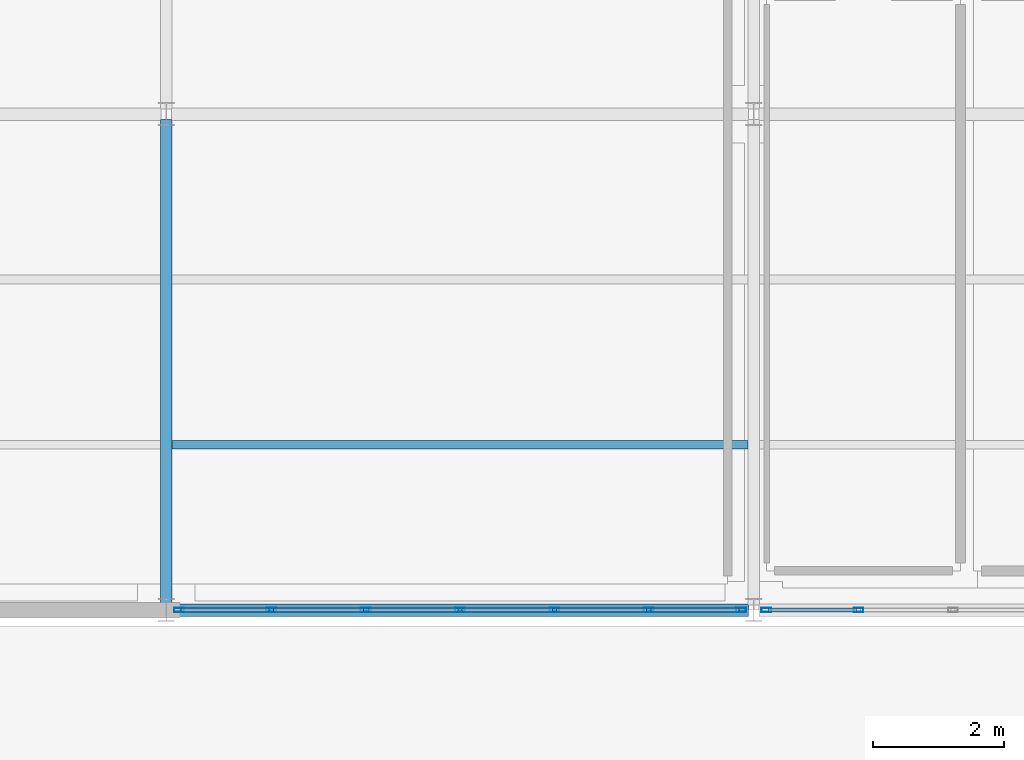
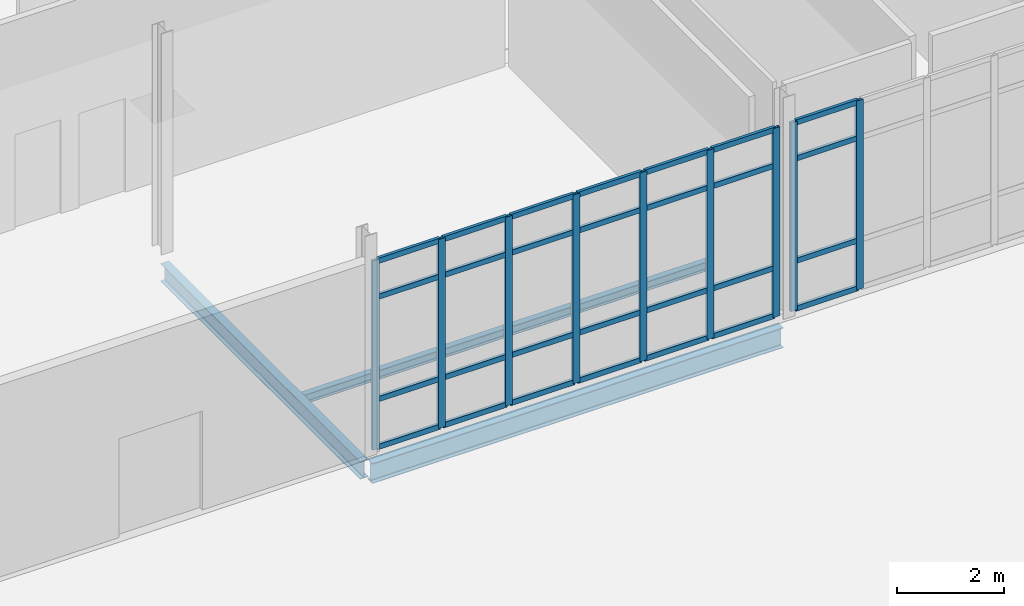
# One storey, part 66 of 161: 37 members, 3 beams, 2 elements without a shape of their own.
"""IFC4 building model written with IfcOpenShell, lengths in metres."""

from ifc_helpers import new_model, si_unit, direction, frame, origin, origin_2d, place, context, subcontext, project, spatial, hollow_rectangle, i_section, extrude, material, material_profile, profile_set, type_object, element, aggregate, save


model = new_model("IFC4")

# Units and contexts
model_context = context("Model", 3, precision=1e-05, world=origin(), true_north=direction((0.0, 1.0)))
body_context = subcontext(model_context, "Body", "Model", "MODEL_VIEW")
ifc_project = project(units=[si_unit("LENGTHUNIT", "METRE"), si_unit("AREAUNIT", "SQUARE_METRE"), si_unit("VOLUMEUNIT", "CUBIC_METRE"), si_unit("PLANEANGLEUNIT", "RADIAN"), si_unit("MASSUNIT", "GRAM", prefix="KILO")], contexts=[model_context])

# Site, building, storey
site_placement = place(None, origin())
site = spatial("IfcSite", under=ifc_project, at=site_placement, CompositionType="ELEMENT")
building_placement = place(site_placement, origin())
building = spatial("IfcBuilding", under=site, at=building_placement, Name="Caisbarro Railhouse Central Library", CompositionType="ELEMENT")
storey_placement = place(building_placement, origin())
storey = spatial("IfcBuildingStorey", under=building, at=storey_placement, Name="L00", CompositionType="ELEMENT", Elevation=0.0)

# Beams
ifc_material_1 = material(Name="Steel ASTM A572 Grade 50", Category="steel")
ifc_material_profile_1 = material_profile(ifc_material_1, i_section(OverallWidth=0.177978515625, OverallDepth=0.406982421875, WebThickness=0.0078125, FlangeThickness=0.0126953125, FilletRadius=0.01611328125, at=origin_2d()), Name="W410X60.0")
ifc_profile_set_1 = profile_set([ifc_material_profile_1], Name="Steel ASTM A572 Grade 50")
beam_type_1 = type_object("IfcBeamType", Name="BM-G10", PredefinedType="BEAM", material=ifc_profile_set_1)
beam_1_placement = place(storey_placement, frame((18.0, 83.679931640625, -0.45361328125), z_axis=(0.0, 1.0, 0.0), x_axis=(-1.0, 0.0, 0.0)))
element("IfcBeam", 1, at=beam_1_placement, inside=storey, type_object=beam_type_1, Name="G10 beam L00 #409", PredefinedType="BEAM", context=body_context, shape_type="SweptSolid", body=[
    extrude(i_section(OverallWidth=0.177978515625, OverallDepth=0.406982421875, WebThickness=0.0078125, FlangeThickness=0.0126953125, FilletRadius=0.01611328125, at=origin_2d()), origin(), (0.0, 0.0, 1.0), 7.440185546875),
])
ifc_material_profile_2 = material_profile(ifc_material_1, i_section(OverallWidth=0.133056640625, OverallDepth=0.20703125, WebThickness=0.005859375, FlangeThickness=0.00830078125, FilletRadius=0.010009765625, at=origin_2d()), Name="W200X26.6")
ifc_profile_set_2 = profile_set([ifc_material_profile_2], Name="Steel ASTM A572 Grade 50")
beam_type_2 = type_object("IfcBeamType", Name="BM-J07", PredefinedType="JOIST", material=ifc_profile_set_2)
beam_2_placement = place(storey_placement, frame((18.089111328125, 86.13330078125, -0.353515625), z_axis=(1.0, 0.0, 0.0), x_axis=(0.0, 1.0, 0.0)))
element("IfcBeam", 2, at=beam_2_placement, inside=storey, type_object=beam_type_2, Name="J07 beam L00 #437", PredefinedType="JOIST", context=body_context, shape_type="SweptSolid", body=[
    extrude(i_section(OverallWidth=0.133056640625, OverallDepth=0.20703125, WebThickness=0.005859375, FlangeThickness=0.00830078125, FilletRadius=0.010009765625, at=origin_2d()), origin(), (0.0, 0.0, 1.0), 8.82177734375),
])
ifc_material_profile_3 = material_profile(ifc_material_1, i_section(OverallWidth=0.18994140625, OverallDepth=0.45703125, WebThickness=0.009033203125, FlangeThickness=0.014404296875, FilletRadius=0.01806640625, at=origin_2d()), Name="W460X74.0")
ifc_profile_set_3 = profile_set([ifc_material_profile_3], Name="Steel ASTM A572 Grade 50")
beam_type_3 = type_object("IfcBeamType", Name="BM-SP01", PredefinedType="SPANDREL", material=ifc_profile_set_3)
beam_3_placement = place(storey_placement, frame((18.080078125, 83.60009765625, -0.478515625), z_axis=(1.0, 0.0, 0.0), x_axis=(0.0, 1.0, 0.0)))
element("IfcBeam", 3, at=beam_3_placement, inside=storey, type_object=beam_type_3, Name="SP01 beam L00 #383", PredefinedType="SPANDREL", context=body_context, shape_type="SweptSolid", body=[
    extrude(i_section(OverallWidth=0.18994140625, OverallDepth=0.45703125, WebThickness=0.009033203125, FlangeThickness=0.014404296875, FilletRadius=0.01806640625, at=origin_2d()), origin(), (0.0, 0.0, 1.0), 8.83984375),
])

# Curtain wall, members
ifc_material_2 = material(Name="Anodised architectural aluminium", Category="aluminium")
curtain_wall_type = type_object("IfcCurtainWallType", Name="CW-CW01", PredefinedType="NOTDEFINED", material=ifc_material_2)
curtain_wall_1_placement = place(storey_placement, origin())
curtain_wall_1 = element("IfcCurtainWall", 4, at=curtain_wall_1_placement, inside=storey, type_object=curtain_wall_type, Name="CW01 curtain wall L00 #74", PredefinedType="NOTDEFINED")
ifc_material_profile_4 = material_profile(ifc_material_2, hollow_rectangle(XDim=0.06494140625, YDim=0.14990234375, WallThickness=0.00390625, at=origin_2d()), Name="ALU-MUL-65X150")
ifc_profile_set_4 = profile_set([ifc_material_profile_4], Name="Anodised architectural aluminium")
member_type_1 = type_object("IfcMemberType", Name="CWM-M02", PredefinedType="MULLION", material=ifc_profile_set_4)
member_1_placement = place(storey_placement, frame((18.1923828125, 83.60009765625, 0.0), z_axis=(0.0, 0.0, 1.0), x_axis=(0.0, 1.0, 0.0)))
member_1 = element("IfcMember", 5, at=member_1_placement, type_object=member_type_1, Name="CW01 mullion 1", PredefinedType="MULLION", context=body_context, shape_type="SweptSolid", body=[
    extrude(hollow_rectangle(XDim=0.06494140625, YDim=0.14990234375, WallThickness=0.00390625, at=origin_2d()), origin(), (0.0, 0.0, 1.0), 4.300048828125),
])
member_2_placement = place(storey_placement, frame((19.606689453125, 83.60009765625, 0.0), z_axis=(0.0, 0.0, 1.0), x_axis=(0.0, 1.0, 0.0)))
member_2 = element("IfcMember", 6, at=member_2_placement, type_object=member_type_1, Name="CW01 mullion 2", PredefinedType="MULLION", context=body_context, shape_type="SweptSolid", body=[
    extrude(hollow_rectangle(XDim=0.06494140625, YDim=0.14990234375, WallThickness=0.00390625, at=origin_2d()), origin(), (0.0, 0.0, 1.0), 4.300048828125),
])
member_3_placement = place(storey_placement, frame((21.05322265625, 83.60009765625, 0.0), z_axis=(0.0, 0.0, 1.0), x_axis=(0.0, 1.0, 0.0)))
member_3 = element("IfcMember", 7, at=member_3_placement, type_object=member_type_1, Name="CW01 mullion 3", PredefinedType="MULLION", context=body_context, shape_type="SweptSolid", body=[
    extrude(hollow_rectangle(XDim=0.06494140625, YDim=0.14990234375, WallThickness=0.00390625, at=origin_2d()), origin(), (0.0, 0.0, 1.0), 4.300048828125),
])
member_4_placement = place(storey_placement, frame((22.5, 83.60009765625, 0.0), z_axis=(0.0, 0.0, 1.0), x_axis=(0.0, 1.0, 0.0)))
member_4 = element("IfcMember", 8, at=member_4_placement, type_object=member_type_1, Name="CW01 mullion 4", PredefinedType="MULLION", context=body_context, shape_type="SweptSolid", body=[
    extrude(hollow_rectangle(XDim=0.06494140625, YDim=0.14990234375, WallThickness=0.00390625, at=origin_2d()), origin(), (0.0, 0.0, 1.0), 4.300048828125),
])
member_5_placement = place(storey_placement, frame((23.94677734375, 83.60009765625, 0.0), z_axis=(0.0, 0.0, 1.0), x_axis=(0.0, 1.0, 0.0)))
member_5 = element("IfcMember", 9, at=member_5_placement, type_object=member_type_1, Name="CW01 mullion 5", PredefinedType="MULLION", context=body_context, shape_type="SweptSolid", body=[
    extrude(hollow_rectangle(XDim=0.06494140625, YDim=0.14990234375, WallThickness=0.00390625, at=origin_2d()), origin(), (0.0, 0.0, 1.0), 4.300048828125),
])
member_6_placement = place(storey_placement, frame((25.393310546875, 83.60009765625, 0.0), z_axis=(0.0, 0.0, 1.0), x_axis=(0.0, 1.0, 0.0)))
member_6 = element("IfcMember", 10, at=member_6_placement, type_object=member_type_1, Name="CW01 mullion 6", PredefinedType="MULLION", context=body_context, shape_type="SweptSolid", body=[
    extrude(hollow_rectangle(XDim=0.06494140625, YDim=0.14990234375, WallThickness=0.00390625, at=origin_2d()), origin(), (0.0, 0.0, 1.0), 4.300048828125),
])
member_7_placement = place(storey_placement, frame((26.8076171875, 83.60009765625, 0.0), z_axis=(0.0, 0.0, 1.0), x_axis=(0.0, 1.0, 0.0)))
member_7 = element("IfcMember", 11, at=member_7_placement, type_object=member_type_1, Name="CW01 mullion 7", PredefinedType="MULLION", context=body_context, shape_type="SweptSolid", body=[
    extrude(hollow_rectangle(XDim=0.06494140625, YDim=0.14990234375, WallThickness=0.00390625, at=origin_2d()), origin(), (0.0, 0.0, 1.0), 4.300048828125),
])

curtain_wall_2_placement = place(storey_placement, origin())
curtain_wall_2 = element("IfcCurtainWall", 12, at=curtain_wall_2_placement, inside=storey, type_object=curtain_wall_type, Name="CW01 curtain wall L00 #75", PredefinedType="NOTDEFINED")
member_8_placement = place(storey_placement, frame((27.1923828125, 83.60009765625, 0.0), z_axis=(0.0, 0.0, 1.0), x_axis=(0.0, 1.0, 0.0)))
member_8 = element("IfcMember", 13, at=member_8_placement, type_object=member_type_1, Name="CW01 mullion 1", PredefinedType="MULLION", context=body_context, shape_type="SweptSolid", body=[
    extrude(hollow_rectangle(XDim=0.06494140625, YDim=0.14990234375, WallThickness=0.00390625, at=origin_2d()), origin(), (0.0, 0.0, 1.0), 4.300048828125),
])
member_9_placement = place(storey_placement, frame((28.606689453125, 83.60009765625, 0.0), z_axis=(0.0, 0.0, 1.0), x_axis=(0.0, 1.0, 0.0)))
member_9 = element("IfcMember", 14, at=member_9_placement, type_object=member_type_1, Name="CW01 mullion 2", PredefinedType="MULLION", context=body_context, shape_type="SweptSolid", body=[
    extrude(hollow_rectangle(XDim=0.06494140625, YDim=0.14990234375, WallThickness=0.00390625, at=origin_2d()), origin(), (0.0, 0.0, 1.0), 4.300048828125),
])

# Member
ifc_material_profile_5 = material_profile(ifc_material_2, hollow_rectangle(XDim=0.06494140625, YDim=0.1201171875, WallThickness=0.00341796875, at=origin_2d()), Name="ALU-TRN-65X120")
ifc_profile_set_5 = profile_set([ifc_material_profile_5], Name="Anodised architectural aluminium")
member_type_2 = type_object("IfcMemberType", Name="CWT-T02", PredefinedType="USERDEFINED", material=ifc_profile_set_5)
member_10_placement = place(storey_placement, frame((18.22509765625, 83.60009765625, 0.032470703125), z_axis=(1.0, 0.0, 0.0), x_axis=(0.0, 1.0, 0.0)))
member_10 = element("IfcMember", 15, at=member_10_placement, type_object=member_type_2, Name="CW01 transom 1.1", ObjectType="TRANSOM", PredefinedType="USERDEFINED", context=body_context, shape_type="SweptSolid", body=[
    extrude(hollow_rectangle(XDim=0.06494140625, YDim=0.1201171875, WallThickness=0.00341796875, at=origin_2d()), origin(), (0.0, 0.0, 1.0), 1.34912109375),
])

member_11_placement = place(storey_placement, frame((18.22509765625, 83.60009765625, 1.1201171875), z_axis=(1.0, 0.0, 0.0), x_axis=(0.0, 1.0, 0.0)))
member_11 = element("IfcMember", 16, at=member_11_placement, type_object=member_type_2, Name="CW01 transom 1.2", ObjectType="TRANSOM", PredefinedType="USERDEFINED", context=body_context, shape_type="SweptSolid", body=[
    extrude(hollow_rectangle(XDim=0.06494140625, YDim=0.1201171875, WallThickness=0.00341796875, at=origin_2d()), origin(), (0.0, 0.0, 1.0), 1.34912109375),
])

member_12_placement = place(storey_placement, frame((18.22509765625, 83.60009765625, 3.449951171875), z_axis=(1.0, 0.0, 0.0), x_axis=(0.0, 1.0, 0.0)))
member_12 = element("IfcMember", 17, at=member_12_placement, type_object=member_type_2, Name="CW01 transom 1.3", ObjectType="TRANSOM", PredefinedType="USERDEFINED", context=body_context, shape_type="SweptSolid", body=[
    extrude(hollow_rectangle(XDim=0.06494140625, YDim=0.1201171875, WallThickness=0.00341796875, at=origin_2d()), origin(), (0.0, 0.0, 1.0), 1.34912109375),
])

member_13_placement = place(storey_placement, frame((18.22509765625, 83.60009765625, 4.267578125), z_axis=(1.0, 0.0, 0.0), x_axis=(0.0, 1.0, 0.0)))
member_13 = element("IfcMember", 18, at=member_13_placement, type_object=member_type_2, Name="CW01 transom 1.4", ObjectType="TRANSOM", PredefinedType="USERDEFINED", context=body_context, shape_type="SweptSolid", body=[
    extrude(hollow_rectangle(XDim=0.06494140625, YDim=0.1201171875, WallThickness=0.00341796875, at=origin_2d()), origin(), (0.0, 0.0, 1.0), 1.34912109375),
])

member_14_placement = place(storey_placement, frame((19.63916015625, 83.60009765625, 0.032470703125), z_axis=(1.0, 0.0, 0.0), x_axis=(0.0, 1.0, 0.0)))
member_14 = element("IfcMember", 19, at=member_14_placement, type_object=member_type_2, Name="CW01 transom 2.1", ObjectType="TRANSOM", PredefinedType="USERDEFINED", context=body_context, shape_type="SweptSolid", body=[
    extrude(hollow_rectangle(XDim=0.06494140625, YDim=0.1201171875, WallThickness=0.00341796875, at=origin_2d()), origin(), (0.0, 0.0, 1.0), 1.381591796875),
])

member_15_placement = place(storey_placement, frame((19.63916015625, 83.60009765625, 1.1201171875), z_axis=(1.0, 0.0, 0.0), x_axis=(0.0, 1.0, 0.0)))
member_15 = element("IfcMember", 20, at=member_15_placement, type_object=member_type_2, Name="CW01 transom 2.2", ObjectType="TRANSOM", PredefinedType="USERDEFINED", context=body_context, shape_type="SweptSolid", body=[
    extrude(hollow_rectangle(XDim=0.06494140625, YDim=0.1201171875, WallThickness=0.00341796875, at=origin_2d()), origin(), (0.0, 0.0, 1.0), 1.381591796875),
])

member_16_placement = place(storey_placement, frame((19.63916015625, 83.60009765625, 3.449951171875), z_axis=(1.0, 0.0, 0.0), x_axis=(0.0, 1.0, 0.0)))
member_16 = element("IfcMember", 21, at=member_16_placement, type_object=member_type_2, Name="CW01 transom 2.3", ObjectType="TRANSOM", PredefinedType="USERDEFINED", context=body_context, shape_type="SweptSolid", body=[
    extrude(hollow_rectangle(XDim=0.06494140625, YDim=0.1201171875, WallThickness=0.00341796875, at=origin_2d()), origin(), (0.0, 0.0, 1.0), 1.381591796875),
])

member_17_placement = place(storey_placement, frame((19.63916015625, 83.60009765625, 4.267578125), z_axis=(1.0, 0.0, 0.0), x_axis=(0.0, 1.0, 0.0)))
member_17 = element("IfcMember", 22, at=member_17_placement, type_object=member_type_2, Name="CW01 transom 2.4", ObjectType="TRANSOM", PredefinedType="USERDEFINED", context=body_context, shape_type="SweptSolid", body=[
    extrude(hollow_rectangle(XDim=0.06494140625, YDim=0.1201171875, WallThickness=0.00341796875, at=origin_2d()), origin(), (0.0, 0.0, 1.0), 1.381591796875),
])

member_18_placement = place(storey_placement, frame((21.0859375, 83.60009765625, 0.032470703125), z_axis=(1.0, 0.0, 0.0), x_axis=(0.0, 1.0, 0.0)))
member_18 = element("IfcMember", 23, at=member_18_placement, type_object=member_type_2, Name="CW01 transom 3.1", ObjectType="TRANSOM", PredefinedType="USERDEFINED", context=body_context, shape_type="SweptSolid", body=[
    extrude(hollow_rectangle(XDim=0.06494140625, YDim=0.1201171875, WallThickness=0.00341796875, at=origin_2d()), origin(), (0.0, 0.0, 1.0), 1.381591796875),
])

member_19_placement = place(storey_placement, frame((21.0859375, 83.60009765625, 1.1201171875), z_axis=(1.0, 0.0, 0.0), x_axis=(0.0, 1.0, 0.0)))
member_19 = element("IfcMember", 24, at=member_19_placement, type_object=member_type_2, Name="CW01 transom 3.2", ObjectType="TRANSOM", PredefinedType="USERDEFINED", context=body_context, shape_type="SweptSolid", body=[
    extrude(hollow_rectangle(XDim=0.06494140625, YDim=0.1201171875, WallThickness=0.00341796875, at=origin_2d()), origin(), (0.0, 0.0, 1.0), 1.381591796875),
])

member_20_placement = place(storey_placement, frame((21.0859375, 83.60009765625, 3.449951171875), z_axis=(1.0, 0.0, 0.0), x_axis=(0.0, 1.0, 0.0)))
member_20 = element("IfcMember", 25, at=member_20_placement, type_object=member_type_2, Name="CW01 transom 3.3", ObjectType="TRANSOM", PredefinedType="USERDEFINED", context=body_context, shape_type="SweptSolid", body=[
    extrude(hollow_rectangle(XDim=0.06494140625, YDim=0.1201171875, WallThickness=0.00341796875, at=origin_2d()), origin(), (0.0, 0.0, 1.0), 1.381591796875),
])

member_21_placement = place(storey_placement, frame((21.0859375, 83.60009765625, 4.267578125), z_axis=(1.0, 0.0, 0.0), x_axis=(0.0, 1.0, 0.0)))
member_21 = element("IfcMember", 26, at=member_21_placement, type_object=member_type_2, Name="CW01 transom 3.4", ObjectType="TRANSOM", PredefinedType="USERDEFINED", context=body_context, shape_type="SweptSolid", body=[
    extrude(hollow_rectangle(XDim=0.06494140625, YDim=0.1201171875, WallThickness=0.00341796875, at=origin_2d()), origin(), (0.0, 0.0, 1.0), 1.381591796875),
])

member_22_placement = place(storey_placement, frame((22.532470703125, 83.60009765625, 0.032470703125), z_axis=(1.0, 0.0, 0.0), x_axis=(0.0, 1.0, 0.0)))
member_22 = element("IfcMember", 27, at=member_22_placement, type_object=member_type_2, Name="CW01 transom 4.1", ObjectType="TRANSOM", PredefinedType="USERDEFINED", context=body_context, shape_type="SweptSolid", body=[
    extrude(hollow_rectangle(XDim=0.06494140625, YDim=0.1201171875, WallThickness=0.00341796875, at=origin_2d()), origin(), (0.0, 0.0, 1.0), 1.381591796875),
])

member_23_placement = place(storey_placement, frame((22.532470703125, 83.60009765625, 1.1201171875), z_axis=(1.0, 0.0, 0.0), x_axis=(0.0, 1.0, 0.0)))
member_23 = element("IfcMember", 28, at=member_23_placement, type_object=member_type_2, Name="CW01 transom 4.2", ObjectType="TRANSOM", PredefinedType="USERDEFINED", context=body_context, shape_type="SweptSolid", body=[
    extrude(hollow_rectangle(XDim=0.06494140625, YDim=0.1201171875, WallThickness=0.00341796875, at=origin_2d()), origin(), (0.0, 0.0, 1.0), 1.381591796875),
])

member_24_placement = place(storey_placement, frame((22.532470703125, 83.60009765625, 3.449951171875), z_axis=(1.0, 0.0, 0.0), x_axis=(0.0, 1.0, 0.0)))
member_24 = element("IfcMember", 29, at=member_24_placement, type_object=member_type_2, Name="CW01 transom 4.3", ObjectType="TRANSOM", PredefinedType="USERDEFINED", context=body_context, shape_type="SweptSolid", body=[
    extrude(hollow_rectangle(XDim=0.06494140625, YDim=0.1201171875, WallThickness=0.00341796875, at=origin_2d()), origin(), (0.0, 0.0, 1.0), 1.381591796875),
])

member_25_placement = place(storey_placement, frame((22.532470703125, 83.60009765625, 4.267578125), z_axis=(1.0, 0.0, 0.0), x_axis=(0.0, 1.0, 0.0)))
member_25 = element("IfcMember", 30, at=member_25_placement, type_object=member_type_2, Name="CW01 transom 4.4", ObjectType="TRANSOM", PredefinedType="USERDEFINED", context=body_context, shape_type="SweptSolid", body=[
    extrude(hollow_rectangle(XDim=0.06494140625, YDim=0.1201171875, WallThickness=0.00341796875, at=origin_2d()), origin(), (0.0, 0.0, 1.0), 1.381591796875),
])

member_26_placement = place(storey_placement, frame((23.979248046875, 83.60009765625, 0.032470703125), z_axis=(1.0, 0.0, 0.0), x_axis=(0.0, 1.0, 0.0)))
member_26 = element("IfcMember", 31, at=member_26_placement, type_object=member_type_2, Name="CW01 transom 5.1", ObjectType="TRANSOM", PredefinedType="USERDEFINED", context=body_context, shape_type="SweptSolid", body=[
    extrude(hollow_rectangle(XDim=0.06494140625, YDim=0.1201171875, WallThickness=0.00341796875, at=origin_2d()), origin(), (0.0, 0.0, 1.0), 1.381591796875),
])

member_27_placement = place(storey_placement, frame((23.979248046875, 83.60009765625, 1.1201171875), z_axis=(1.0, 0.0, 0.0), x_axis=(0.0, 1.0, 0.0)))
member_27 = element("IfcMember", 32, at=member_27_placement, type_object=member_type_2, Name="CW01 transom 5.2", ObjectType="TRANSOM", PredefinedType="USERDEFINED", context=body_context, shape_type="SweptSolid", body=[
    extrude(hollow_rectangle(XDim=0.06494140625, YDim=0.1201171875, WallThickness=0.00341796875, at=origin_2d()), origin(), (0.0, 0.0, 1.0), 1.381591796875),
])

member_28_placement = place(storey_placement, frame((23.979248046875, 83.60009765625, 3.449951171875), z_axis=(1.0, 0.0, 0.0), x_axis=(0.0, 1.0, 0.0)))
member_28 = element("IfcMember", 33, at=member_28_placement, type_object=member_type_2, Name="CW01 transom 5.3", ObjectType="TRANSOM", PredefinedType="USERDEFINED", context=body_context, shape_type="SweptSolid", body=[
    extrude(hollow_rectangle(XDim=0.06494140625, YDim=0.1201171875, WallThickness=0.00341796875, at=origin_2d()), origin(), (0.0, 0.0, 1.0), 1.381591796875),
])

member_29_placement = place(storey_placement, frame((23.979248046875, 83.60009765625, 4.267578125), z_axis=(1.0, 0.0, 0.0), x_axis=(0.0, 1.0, 0.0)))
member_29 = element("IfcMember", 34, at=member_29_placement, type_object=member_type_2, Name="CW01 transom 5.4", ObjectType="TRANSOM", PredefinedType="USERDEFINED", context=body_context, shape_type="SweptSolid", body=[
    extrude(hollow_rectangle(XDim=0.06494140625, YDim=0.1201171875, WallThickness=0.00341796875, at=origin_2d()), origin(), (0.0, 0.0, 1.0), 1.381591796875),
])

member_30_placement = place(storey_placement, frame((25.42578125, 83.60009765625, 0.032470703125), z_axis=(1.0, 0.0, 0.0), x_axis=(0.0, 1.0, 0.0)))
member_30 = element("IfcMember", 35, at=member_30_placement, type_object=member_type_2, Name="CW01 transom 6.1", ObjectType="TRANSOM", PredefinedType="USERDEFINED", context=body_context, shape_type="SweptSolid", body=[
    extrude(hollow_rectangle(XDim=0.06494140625, YDim=0.1201171875, WallThickness=0.00341796875, at=origin_2d()), origin(), (0.0, 0.0, 1.0), 1.34912109375),
])

member_31_placement = place(storey_placement, frame((25.42578125, 83.60009765625, 1.1201171875), z_axis=(1.0, 0.0, 0.0), x_axis=(0.0, 1.0, 0.0)))
member_31 = element("IfcMember", 36, at=member_31_placement, type_object=member_type_2, Name="CW01 transom 6.2", ObjectType="TRANSOM", PredefinedType="USERDEFINED", context=body_context, shape_type="SweptSolid", body=[
    extrude(hollow_rectangle(XDim=0.06494140625, YDim=0.1201171875, WallThickness=0.00341796875, at=origin_2d()), origin(), (0.0, 0.0, 1.0), 1.34912109375),
])

member_32_placement = place(storey_placement, frame((25.42578125, 83.60009765625, 3.449951171875), z_axis=(1.0, 0.0, 0.0), x_axis=(0.0, 1.0, 0.0)))
member_32 = element("IfcMember", 37, at=member_32_placement, type_object=member_type_2, Name="CW01 transom 6.3", ObjectType="TRANSOM", PredefinedType="USERDEFINED", context=body_context, shape_type="SweptSolid", body=[
    extrude(hollow_rectangle(XDim=0.06494140625, YDim=0.1201171875, WallThickness=0.00341796875, at=origin_2d()), origin(), (0.0, 0.0, 1.0), 1.34912109375),
])

member_33_placement = place(storey_placement, frame((25.42578125, 83.60009765625, 4.267578125), z_axis=(1.0, 0.0, 0.0), x_axis=(0.0, 1.0, 0.0)))
member_33 = element("IfcMember", 38, at=member_33_placement, type_object=member_type_2, Name="CW01 transom 6.4", ObjectType="TRANSOM", PredefinedType="USERDEFINED", context=body_context, shape_type="SweptSolid", body=[
    extrude(hollow_rectangle(XDim=0.06494140625, YDim=0.1201171875, WallThickness=0.00341796875, at=origin_2d()), origin(), (0.0, 0.0, 1.0), 1.34912109375),
])

aggregate(curtain_wall_1, [member_1, member_2, member_3, member_4, member_5, member_6, member_7, member_10, member_11, member_12, member_13, member_14, member_15, member_16, member_17, member_18, member_19, member_20, member_21, member_22, member_23, member_24, member_25, member_26, member_27, member_28, member_29, member_30, member_31, member_32, member_33])

member_34_placement = place(storey_placement, frame((27.22509765625, 83.60009765625, 0.032470703125), z_axis=(1.0, 0.0, 0.0), x_axis=(0.0, 1.0, 0.0)))
member_34 = element("IfcMember", 39, at=member_34_placement, type_object=member_type_2, Name="CW01 transom 1.1", ObjectType="TRANSOM", PredefinedType="USERDEFINED", context=body_context, shape_type="SweptSolid", body=[
    extrude(hollow_rectangle(XDim=0.06494140625, YDim=0.1201171875, WallThickness=0.00341796875, at=origin_2d()), origin(), (0.0, 0.0, 1.0), 1.34912109375),
])

member_35_placement = place(storey_placement, frame((27.22509765625, 83.60009765625, 1.1201171875), z_axis=(1.0, 0.0, 0.0), x_axis=(0.0, 1.0, 0.0)))
member_35 = element("IfcMember", 40, at=member_35_placement, type_object=member_type_2, Name="CW01 transom 1.2", ObjectType="TRANSOM", PredefinedType="USERDEFINED", context=body_context, shape_type="SweptSolid", body=[
    extrude(hollow_rectangle(XDim=0.06494140625, YDim=0.1201171875, WallThickness=0.00341796875, at=origin_2d()), origin(), (0.0, 0.0, 1.0), 1.34912109375),
])

member_36_placement = place(storey_placement, frame((27.22509765625, 83.60009765625, 3.449951171875), z_axis=(1.0, 0.0, 0.0), x_axis=(0.0, 1.0, 0.0)))
member_36 = element("IfcMember", 41, at=member_36_placement, type_object=member_type_2, Name="CW01 transom 1.3", ObjectType="TRANSOM", PredefinedType="USERDEFINED", context=body_context, shape_type="SweptSolid", body=[
    extrude(hollow_rectangle(XDim=0.06494140625, YDim=0.1201171875, WallThickness=0.00341796875, at=origin_2d()), origin(), (0.0, 0.0, 1.0), 1.34912109375),
])

member_37_placement = place(storey_placement, frame((27.22509765625, 83.60009765625, 4.267578125), z_axis=(1.0, 0.0, 0.0), x_axis=(0.0, 1.0, 0.0)))
member_37 = element("IfcMember", 42, at=member_37_placement, type_object=member_type_2, Name="CW01 transom 1.4", ObjectType="TRANSOM", PredefinedType="USERDEFINED", context=body_context, shape_type="SweptSolid", body=[
    extrude(hollow_rectangle(XDim=0.06494140625, YDim=0.1201171875, WallThickness=0.00341796875, at=origin_2d()), origin(), (0.0, 0.0, 1.0), 1.34912109375),
])

aggregate(curtain_wall_2, [member_8, member_9, member_34, member_35, member_36, member_37])

save(model, "model.ifc")
